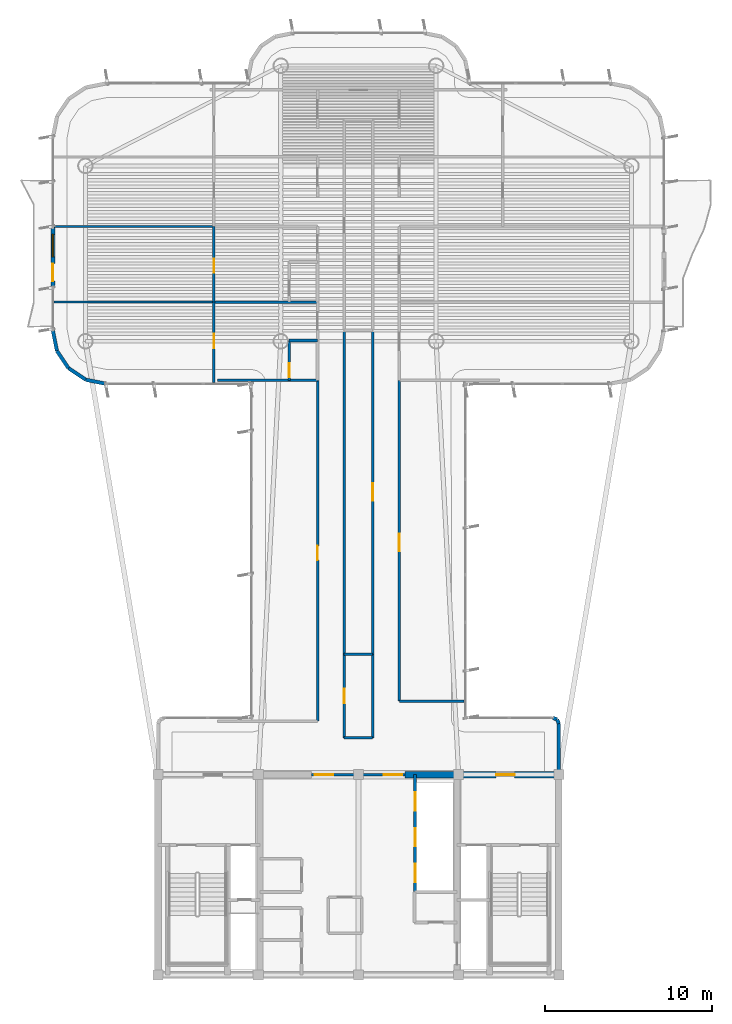
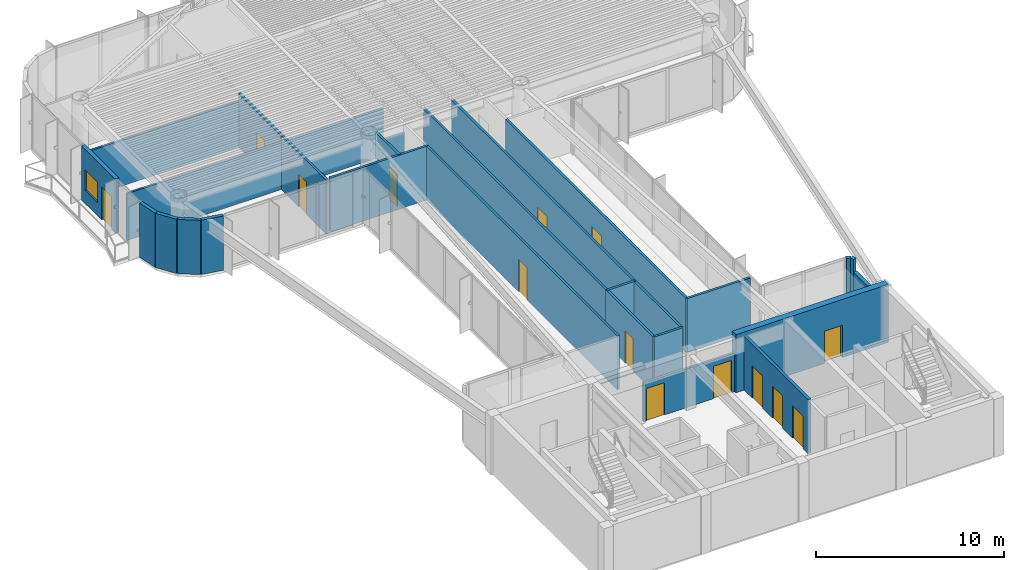
# One storey, part 11 of 15: 28 walls, 14 doors, 1 window, 15 openings.
"""IFC4 building model written with IfcOpenShell, lengths in metres."""

from ifc_helpers import new_model, si_unit, direction, frame, frame_2d, origin, origin_2d, place, context, subcontext, project, spatial, rectangle, extrude, source, transform, mapped, material, layer, layer_set, type_object, element, fill, save


model = new_model("IFC4")

# Units and contexts
model_context = context("Model", 3, precision=1e-05, world=origin(), true_north=direction((0.0, 1.0)))
body_context = subcontext(model_context, "Body", "Model", "MODEL_VIEW")
ifc_project = project(units=[si_unit("LENGTHUNIT", "METRE"), si_unit("AREAUNIT", "SQUARE_METRE"), si_unit("VOLUMEUNIT", "CUBIC_METRE"), si_unit("PLANEANGLEUNIT", "RADIAN"), si_unit("MASSUNIT", "GRAM", prefix="KILO")], contexts=[model_context])

# Site, building, storey
site_placement = place(None, origin())
site = spatial("IfcSite", under=ifc_project, at=site_placement, CompositionType="ELEMENT")
building_placement = place(site_placement, origin())
building = spatial("IfcBuilding", under=site, at=building_placement, Name="Brelvock Crest Care Tower", CompositionType="ELEMENT")
storey_placement = place(building_placement, frame((0.0, 0.0, 268.3798828125)))
storey = spatial("IfcBuildingStorey", under=building, at=storey_placement, Name="L68", CompositionType="ELEMENT", Elevation=268.3798828125)

# Wall, opening, door
ifc_material_1 = material(Name="Concrete S65 (65 MPa)", Category="concrete")
ifc_layer_1 = layer(ifc_material_1, 0.39990234375, Name="WL-CS4")
ifc_layer_set_1 = layer_set([ifc_layer_1], Name="Concrete S65 (65 MPa)")
wall_type_1 = type_object("IfcWallType", Name="WL-CS4", PredefinedType="SHEAR", material=ifc_layer_set_1)
wall_1_placement = place(storey_placement, frame((38.800048828125, 18.0, 0.0), z_axis=(0.0, 0.0, 1.0), x_axis=(1.0, 0.0, 0.0)))
wall_1 = element("IfcWall", 1, at=wall_1_placement, inside=storey, type_object=wall_type_1, Name="L68 Core North-East Shear Wall", PredefinedType="SHEAR", context=body_context, shape_type="SweptSolid", body=[
    extrude(rectangle(XDim=9.39990234375, YDim=0.39990234375, at=frame_2d((4.699951171875, 0.0))), origin(), (0.0, 0.0, 1.0), 3.780029296875),
])
opening_1_placement = place(wall_1_placement, frame((5.449951171875, 0.0, 0.0)))
opening_1 = element("IfcOpeningElement", 2, at=opening_1_placement, cuts=wall_1, Name="Opening FD-1", PredefinedType="OPENING", context=body_context, shape_type="SweptSolid", body=[
    extrude(rectangle(XDim=1.10009765625, YDim=2.10009765625, at=origin_2d()), frame((0.550048828125, 0.2099609375, 1.050048828125), z_axis=(0.0, -1.0, 0.0), x_axis=(1.0, 0.0, 0.0)), (0.0, 0.0, 1.0), 0.419921875),
])
ifc_material_2 = material(Name="Steel Grade 350", Category="steel")
door_type_1 = type_object("IfcDoorType", Name="DR-FFL1", OperationType="NOTDEFINED", PredefinedType="DOOR", material=ifc_material_2)
shared_shape_1 = source(origin(), body_context, "Body", "SweptSolid", [
    extrude(rectangle(XDim=1.10009765625, YDim=2.10009765625, at=origin_2d()), frame((0.550048828125, 0.02490234375, 1.050048828125), z_axis=(0.0, -1.0, 0.0), x_axis=(1.0, 0.0, 0.0)), (0.0, 0.0, 1.0), 0.050048828125),
])
door_1_placement = place(opening_1_placement, origin())
door_1 = element("IfcDoor", 3, at=door_1_placement, inside=storey, type_object=door_type_1, Name="L68 Firefighting Lobby FFL-2 Exit Door", OperationType="SINGLE_SWING_RIGHT", OverallHeight=2.10009765625, OverallWidth=1.10009765625, PredefinedType="DOOR", context=body_context, shape_type="MappedRepresentation", body=[
    mapped(shared_shape_1, transform((0.0, 0.0, 0.0), x_axis=(1.0, 0.0, 0.0), y_axis=(0.0, 1.0, 0.0), z_axis=(0.0, 0.0, 1.0), scale=1.0)),
])
fill(opening_1, door_1)

# Wall, openings, door, window
ifc_material_3 = material(Name="Precast concrete N40 (40 MPa)", Category="concrete")
ifc_layer_2 = layer(ifc_material_3, 0.239990234375, Name="WL-EX1")
ifc_layer_set_2 = layer_set([ifc_layer_2], Name="Precast concrete N40 (40 MPa)")
wall_type_2 = type_object("IfcWallType", Name="WL-EX1", PredefinedType="SOLIDWALL", material=ifc_layer_set_2)
wall_2_placement = place(storey_placement, frame((17.699951171875, 47.14990234375, 0.0), z_axis=(0.0, 0.0, 1.0), x_axis=(0.0, 1.0, 0.0)))
wall_2 = element("IfcWall", 4, at=wall_2_placement, inside=storey, type_object=wall_type_2, Name="L68 Exterior Spandrel Wall WL-BAL-L68-W", PredefinedType="SOLIDWALL", context=body_context, shape_type="SweptSolid", body=[
    extrude(rectangle(XDim=3.60009765625, YDim=0.239990234375, at=frame_2d((1.800048828125, 0.0))), origin(), (0.0, 0.0, 1.0), 3.530029296875),
])
opening_2_placement = place(wall_2_placement, frame((0.39990234375, 0.0, 0.0)))
opening_2 = element("IfcOpeningElement", 5, at=opening_2_placement, cuts=wall_2, Name="Opening BD-1", PredefinedType="OPENING", context=body_context, shape_type="SweptSolid", body=[
    extrude(rectangle(XDim=1.050048828125, YDim=2.14990234375, at=origin_2d()), frame((0.52490234375, 0.1298828125, 1.074951171875), z_axis=(0.0, -1.0, 0.0), x_axis=(1.0, 0.0, 0.0)), (0.0, 0.0, 1.0), 0.260009765625),
])
opening_3_placement = place(wall_2_placement, frame((1.85009765625, 0.0, 0.85009765625)))
opening_3 = element("IfcOpeningElement", 6, at=opening_3_placement, cuts=wall_2, Name="Opening W-01", PredefinedType="OPENING", context=body_context, shape_type="SweptSolid", body=[
    extrude(rectangle(XDim=1.35009765625, YDim=1.35009765625, at=origin_2d()), frame((0.675048828125, 0.1298828125, 0.675048828125), z_axis=(0.0, -1.0, 0.0), x_axis=(1.0, 0.0, 0.0)), (0.0, 0.0, 1.0), 0.260009765625),
])
ifc_material_4 = material(Name="Dark Glass Double Glazed Low-E", Category="glass")
door_type_2 = type_object("IfcDoorType", Name="DR-BAL1", OperationType="NOTDEFINED", PredefinedType="DOOR", material=ifc_material_4)
shared_shape_2 = source(origin(), body_context, "Body", "SweptSolid", [
    extrude(rectangle(XDim=1.050048828125, YDim=2.14990234375, at=origin_2d()), frame((0.52490234375, 0.02490234375, 1.074951171875), z_axis=(0.0, -1.0, 0.0), x_axis=(1.0, 0.0, 0.0)), (0.0, 0.0, 1.0), 0.050048828125),
])
door_2_placement = place(opening_2_placement, origin())
door_2 = element("IfcDoor", 7, at=door_2_placement, inside=storey, type_object=door_type_2, Name="L68 W Wave Balcony Glazed Door", OperationType="SINGLE_SWING_LEFT", OverallHeight=2.14990234375, OverallWidth=1.050048828125, PredefinedType="DOOR", context=body_context, shape_type="MappedRepresentation", body=[
    mapped(shared_shape_2, transform((0.0, 0.0, 0.0), x_axis=(1.0, 0.0, 0.0), y_axis=(0.0, 1.0, 0.0), z_axis=(0.0, 0.0, 1.0), scale=1.0)),
])
fill(opening_2, door_2)
window_type = type_object("IfcWindowType", Name="WN-EX1", PartitioningType="SINGLE_PANEL", PredefinedType="WINDOW", material=ifc_material_4)
shared_shape_3 = source(origin(), body_context, "Body", "SweptSolid", [
    extrude(rectangle(XDim=1.35009765625, YDim=1.35009765625, at=origin_2d()), frame((0.675048828125, 0.030029296875, 0.675048828125), z_axis=(0.0, -1.0, 0.0), x_axis=(1.0, 0.0, 0.0)), (0.0, 0.0, 1.0), 0.06005859375),
])
window_placement = place(opening_3_placement, origin())
window = element("IfcWindow", 8, at=window_placement, inside=storey, type_object=window_type, Name="L68 W Suite Casement Window", OverallHeight=1.35009765625, OverallWidth=1.35009765625, PartitioningType="SINGLE_PANEL", PredefinedType="WINDOW", context=body_context, shape_type="MappedRepresentation", body=[
    mapped(shared_shape_3, transform((0.0, 0.0, 0.0), x_axis=(1.0, 0.0, 0.0), y_axis=(0.0, 1.0, 0.0), z_axis=(0.0, 0.0, 1.0), scale=1.0)),
])
fill(opening_3, window)

# Walls
ifc_layer_3 = layer(ifc_material_3, 0.215087890625, Name="WL-EX2")
ifc_layer_set_3 = layer_set([ifc_layer_3], Name="Precast concrete N40 (40 MPa)")
wall_type_3 = type_object("IfcWallType", Name="WL-EX2", PredefinedType="SOLIDWALL", material=ifc_layer_set_3)
wall_3_placement = place(storey_placement, frame((47.8974609375, 21.297607421875, 0.0), z_axis=(0.0, 0.0, 1.0), x_axis=(0.382673670509, -0.923883575944, 0.0)))
element("IfcWall", 9, at=wall_3_placement, inside=storey, type_object=wall_type_3, Name="L68 Rounded Corner Wall 00", PredefinedType="SOLIDWALL", context=body_context, shape_type="SweptSolid", body=[
    extrude(rectangle(XDim=0.26806640625, YDim=0.215087890625, at=frame_2d((0.134033203125, 0.0))), origin(), (0.0, 0.0, 1.0), 3.530029296875),
])
wall_4_placement = place(storey_placement, frame((48.0, 21.050048828125, 0.0), z_axis=(0.0, 0.0, 1.0), x_axis=(0.0, -1.0, 0.0)))
element("IfcWall", 10, at=wall_4_placement, inside=storey, type_object=wall_type_3, Name="L68 Rounded Corner Wall 01", PredefinedType="SOLIDWALL", context=body_context, shape_type="SweptSolid", body=[
    extrude(rectangle(XDim=2.77001953125, YDim=0.215087890625, at=frame_2d((1.385009765625, 0.0))), origin(), (0.0, 0.0, 1.0), 2.718017578125),
])
for number, where, z_axis, x_axis, name in (
    (11, (20.89990234375, 41.39990234375, 0.0), (0.0, 0.0, 1.0), (-0.980775717779, 0.195138390419, 0.0), "L68 Rounded Corner Wall 13"),
    (12, (19.67529296875, 41.6435546875, 0.0), (0.0, 0.0, 1.0), (-0.831387912822, 0.555692485475, 0.0), "L68 Rounded Corner Wall 14"),
    (13, (18.63720703125, 42.33740234375, 0.0), (0.0, 0.0, 1.0), (-0.555557312883, 0.831478245117, 0.0), "L68 Rounded Corner Wall 15"),
    (14, (17.943603515625, 43.37548828125, 0.0), (0.0, 0.0, 1.0), (-0.195138390419, 0.980775717779, 0.0), "L68 Rounded Corner Wall 16"),
):
    element("IfcWall", number, at=place(storey_placement, frame(where, z_axis=z_axis, x_axis=x_axis)), inside=storey, type_object=wall_type_3, Name=name, PredefinedType="SOLIDWALL", context=body_context, shape_type="SweptSolid", body=[
        extrude(rectangle(XDim=1.24853515625, YDim=0.215087890625, at=frame_2d((0.624267578125, 0.0))), origin(), (0.0, 0.0, 1.0), 3.530029296875),
    ])
wall_5_placement = place(storey_placement, frame((47.64990234375, 21.39990234375, 0.0), z_axis=(0.0, 0.0, 1.0), x_axis=(0.924205486139, -0.381895560841, 0.0)))
element("IfcWall", 15, at=wall_5_placement, inside=storey, type_object=wall_type_3, Name="L68 Rounded Corner Wall 47", PredefinedType="SOLIDWALL", context=body_context, shape_type="SweptSolid", body=[
    extrude(rectangle(XDim=0.267822265625, YDim=0.215087890625, at=frame_2d((0.1337890625, 0.0))), origin(), (0.0, 0.0, 1.0), 3.530029296875),
])

# Wall, openings, doors
ifc_material_5 = material(Name="Masonry Blockwork Acoustic Partition", Category="masonry")
ifc_layer_4 = layer(ifc_material_5, 0.14990234375, Name="WL-INT1")
ifc_layer_set_4 = layer_set([ifc_layer_4], Name="Masonry Blockwork Acoustic Partition")
wall_type_4 = type_object("IfcWallType", Name="WL-INT1", PredefinedType="PARTITIONING", material=ifc_layer_set_4)
wall_6_placement = place(storey_placement, frame((33.199951171875, 18.0, 0.0), z_axis=(0.0, 0.0, 1.0), x_axis=(1.0, 0.0, 0.0)))
wall_6 = element("IfcWall", 16, at=wall_6_placement, inside=storey, type_object=wall_type_4, Name="L68 Interior Wall WL-CORE-NPORT-L68", PredefinedType="PARTITIONING", context=body_context, shape_type="SweptSolid", body=[
    extrude(rectangle(XDim=5.60009765625, YDim=0.14990234375, at=frame_2d((2.800048828125, 0.0))), origin(), (0.0, 0.0, 1.0), 2.51513671875),
])
opening_4_placement = place(wall_6_placement, frame((0.18994140625, 0.0, 0.0)))
opening_4 = element("IfcOpeningElement", 17, at=opening_4_placement, cuts=wall_6, Name="Opening FD-1", PredefinedType="OPENING", context=body_context, shape_type="SweptSolid", body=[
    extrude(rectangle(XDim=1.10009765625, YDim=2.10009765625, at=origin_2d()), frame((0.550048828125, 0.0849609375, 1.050048828125), z_axis=(0.0, -1.0, 0.0), x_axis=(1.0, 0.0, 0.0)), (0.0, 0.0, 1.0), 0.169921875),
])
opening_5_placement = place(wall_6_placement, frame((4.31005859375, 0.0, 0.0)))
opening_5 = element("IfcOpeningElement", 18, at=opening_5_placement, cuts=wall_6, Name="Opening FD-1", PredefinedType="OPENING", context=body_context, shape_type="SweptSolid", body=[
    extrude(rectangle(XDim=1.10009765625, YDim=2.10009765625, at=origin_2d()), frame((0.550048828125, 0.0849609375, 1.050048828125), z_axis=(0.0, -1.0, 0.0), x_axis=(1.0, 0.0, 0.0)), (0.0, 0.0, 1.0), 0.169921875),
])
door_3_placement = place(opening_4_placement, origin())
door_3 = element("IfcDoor", 19, at=door_3_placement, inside=storey, type_object=door_type_1, Name="L68 Lift Lobby North Smoke Door West", OperationType="SINGLE_SWING_LEFT", OverallHeight=2.10009765625, OverallWidth=1.10009765625, PredefinedType="DOOR", context=body_context, shape_type="MappedRepresentation", body=[
    mapped(shared_shape_1, transform((0.0, 0.0, 0.0), x_axis=(1.0, 0.0, 0.0), y_axis=(0.0, 1.0, 0.0), z_axis=(0.0, 0.0, 1.0), scale=1.0)),
])
fill(opening_4, door_3)
door_4_placement = place(opening_5_placement, origin())
door_4 = element("IfcDoor", 20, at=door_4_placement, inside=storey, type_object=door_type_1, Name="L68 Lift Lobby North Smoke Door East", OperationType="SINGLE_SWING_RIGHT", OverallHeight=2.10009765625, OverallWidth=1.10009765625, PredefinedType="DOOR", context=body_context, shape_type="MappedRepresentation", body=[
    mapped(shared_shape_1, transform((0.0, 0.0, 0.0), x_axis=(1.0, 0.0, 0.0), y_axis=(0.0, 1.0, 0.0), z_axis=(0.0, 0.0, 1.0), scale=1.0)),
])
fill(opening_5, door_4)

# Walls
wall_7_placement = place(storey_placement, frame((38.449951171875, 22.39990234375, 0.0), z_axis=(0.0, 0.0, 1.0), x_axis=(1.0, 0.0, 0.0)))
element("IfcWall", 21, at=wall_7_placement, inside=storey, type_object=wall_type_4, Name="L68 Interior Wall WL-BX-L68-THRE-S", PredefinedType="PARTITIONING", context=body_context, shape_type="SweptSolid", body=[
    extrude(rectangle(XDim=3.873291015625, YDim=0.14990234375, at=frame_2d((1.9365234375, 0.0))), origin(), (0.0, 0.0, 1.0), 3.5),
])
wall_8_placement = place(storey_placement, frame((27.557861328125, 41.60009765625, 0.0), z_axis=(0.0, 0.0, 1.0), x_axis=(1.0, 0.0, 0.0)))
element("IfcWall", 22, at=wall_8_placement, inside=storey, type_object=wall_type_4, Name="L68 Interior Wall WL-BX-L68-CS-WS1-S", PredefinedType="PARTITIONING", context=body_context, shape_type="SweptSolid", body=[
    extrude(rectangle(XDim=5.9921875, YDim=0.14990234375, at=frame_2d((2.99609375, 0.0))), origin(), (0.0, 0.0, 1.0), 3.5),
])
wall_9_placement = place(storey_placement, frame((27.35009765625, 46.298095703125, 0.0), z_axis=(0.0, 0.0, 1.0), x_axis=(1.0, 0.0, 0.0)))
element("IfcWall", 23, at=wall_9_placement, inside=storey, type_object=wall_type_4, Name="L68 Interior Wall WL-BX-L68-CS-WS1-N", PredefinedType="PARTITIONING", context=body_context, shape_type="SweptSolid", body=[
    extrude(rectangle(XDim=6.199951171875, YDim=0.14990234375, at=frame_2d((3.10009765625, 0.0))), origin(), (0.0, 0.0, 1.0), 3.05517578125),
])

# Wall, opening, door
wall_10_placement = place(storey_placement, frame((27.35009765625, 41.47998046875, 0.0), z_axis=(0.0, 0.0, 1.0), x_axis=(0.0, 1.0, 0.0)))
wall_10 = element("IfcWall", 24, at=wall_10_placement, inside=storey, type_object=wall_type_4, Name="L68 Interior Wall WL-RM-L68-WS1S", PredefinedType="PARTITIONING", context=body_context, shape_type="SweptSolid", body=[
    extrude(rectangle(XDim=4.818115234375, YDim=0.14990234375, at=frame_2d((2.4091796875, 0.0))), origin(), (0.0, 0.0, 1.0), 3.5),
])
opening_6_placement = place(wall_10_placement, frame((2.06005859375, 0.0, 0.0)))
opening_6 = element("IfcOpeningElement", 25, at=opening_6_placement, cuts=wall_10, Name="Opening ID-1", PredefinedType="OPENING", context=body_context, shape_type="SweptSolid", body=[
    extrude(rectangle(XDim=0.860107421875, YDim=2.10009765625, at=origin_2d()), frame((0.43017578125, 0.0849609375, 1.050048828125), z_axis=(0.0, -1.0, 0.0), x_axis=(1.0, 0.0, 0.0)), (0.0, 0.0, 1.0), 0.169921875),
])
ifc_material_6 = material(Name="Engineered Hardwood Timber", Category="wood")
door_type_3 = type_object("IfcDoorType", Name="DR-INT1", OperationType="NOTDEFINED", PredefinedType="DOOR", material=ifc_material_6)
shared_shape_4 = source(origin(), body_context, "Body", "SweptSolid", [
    extrude(rectangle(XDim=0.860107421875, YDim=2.10009765625, at=origin_2d()), frame((0.43017578125, 0.02490234375, 1.050048828125), z_axis=(0.0, -1.0, 0.0), x_axis=(1.0, 0.0, 0.0)), (0.0, 0.0, 1.0), 0.050048828125),
])
door_5_placement = place(opening_6_placement, origin())
door_5 = element("IfcDoor", 26, at=door_5_placement, inside=storey, type_object=door_type_3, Name="L68 Skilled Nursing Mobility Store Door WS1S", OperationType="SINGLE_SWING_LEFT", OverallHeight=2.10009765625, OverallWidth=0.860107421875, PredefinedType="DOOR", context=body_context, shape_type="MappedRepresentation", body=[
    mapped(shared_shape_4, transform((0.0, 0.0, 0.0), x_axis=(1.0, 0.0, 0.0), y_axis=(0.0, 1.0, 0.0), z_axis=(0.0, 0.0, 1.0), scale=1.0)),
])
fill(opening_6, door_5)

wall_11_placement = place(storey_placement, frame((27.35009765625, 46.298095703125, 0.0), z_axis=(0.0, 0.0, 1.0), x_axis=(0.0, 1.0, 0.0)))
wall_11 = element("IfcWall", 27, at=wall_11_placement, inside=storey, type_object=wall_type_4, Name="L68 Interior Wall WL-RM-L68-WS2S", PredefinedType="PARTITIONING", context=body_context, shape_type="SweptSolid", body=[
    extrude(rectangle(XDim=4.52392578125, YDim=0.14990234375, at=frame_2d((2.261962890625, 0.0))), origin(), (0.0, 0.0, 1.0), 3.5),
])
opening_7_placement = place(wall_11_placement, frame((1.741943359375, 0.0, 0.0)))
opening_7 = element("IfcOpeningElement", 28, at=opening_7_placement, cuts=wall_11, Name="Opening ID-1", PredefinedType="OPENING", context=body_context, shape_type="SweptSolid", body=[
    extrude(rectangle(XDim=0.860107421875, YDim=2.10009765625, at=origin_2d()), frame((0.43017578125, 0.0849609375, 1.050048828125), z_axis=(0.0, -1.0, 0.0), x_axis=(1.0, 0.0, 0.0)), (0.0, 0.0, 1.0), 0.169921875),
])
door_6_placement = place(opening_7_placement, origin())
door_6 = element("IfcDoor", 29, at=door_6_placement, inside=storey, type_object=door_type_3, Name="L68 Skilled Nursing Mobility Store Door WS2S", OperationType="SINGLE_SWING_LEFT", OverallHeight=2.10009765625, OverallWidth=0.860107421875, PredefinedType="DOOR", context=body_context, shape_type="MappedRepresentation", body=[
    mapped(shared_shape_4, transform((0.0, 0.0, 0.0), x_axis=(1.0, 0.0, 0.0), y_axis=(0.0, 1.0, 0.0), z_axis=(0.0, 0.0, 1.0), scale=1.0)),
])
fill(opening_7, door_6)

wall_12_placement = place(storey_placement, frame((33.550048828125, 21.199951171875, 0.0), z_axis=(0.0, 0.0, 1.0), x_axis=(0.0, 1.0, 0.0)))
wall_12 = element("IfcWall", 30, at=wall_12_placement, inside=storey, type_object=wall_type_4, Name="L68 Interior Wall WL-RM-L68-THRW", PredefinedType="PARTITIONING", context=body_context, shape_type="SweptSolid", body=[
    extrude(rectangle(XDim=20.400146484375, YDim=0.14990234375, at=frame_2d((10.2001953125, 0.0))), origin(), (0.0, 0.0, 1.0), 3.5),
])
opening_8_placement = place(wall_12_placement, frame((9.639892578125, 0.0, 0.0)))
opening_8 = element("IfcOpeningElement", 31, at=opening_8_placement, cuts=wall_12, Name="Opening ID-1", PredefinedType="OPENING", context=body_context, shape_type="SweptSolid", body=[
    extrude(rectangle(XDim=0.860107421875, YDim=2.10009765625, at=origin_2d()), frame((0.43017578125, 0.0849609375, 1.050048828125), z_axis=(0.0, -1.0, 0.0), x_axis=(1.0, 0.0, 0.0)), (0.0, 0.0, 1.0), 0.169921875),
])
door_7_placement = place(opening_8_placement, origin())
door_7 = element("IfcDoor", 32, at=door_7_placement, inside=storey, type_object=door_type_3, Name="L68 Quiet Family Consultation Room Door THRW", OperationType="SINGLE_SWING_LEFT", OverallHeight=2.10009765625, OverallWidth=0.860107421875, PredefinedType="DOOR", context=body_context, shape_type="MappedRepresentation", body=[
    mapped(shared_shape_4, transform((0.0, 0.0, 0.0), x_axis=(1.0, 0.0, 0.0), y_axis=(0.0, 1.0, 0.0), z_axis=(0.0, 0.0, 1.0), scale=1.0)),
])
fill(opening_8, door_7)

# Wall
wall_13_placement = place(storey_placement, frame((35.14990234375, 25.199951171875, 0.0), z_axis=(0.0, 0.0, 1.0), x_axis=(0.0, 1.0, 0.0)))
element("IfcWall", 33, at=wall_13_placement, inside=storey, type_object=wall_type_4, Name="L68 Interior Wall WL-BX-L68-ISNS-W", PredefinedType="PARTITIONING", context=body_context, shape_type="SweptSolid", body=[
    extrude(rectangle(XDim=19.420166015625, YDim=0.14990234375, at=frame_2d((9.7099609375, 0.0))), origin(), (0.0, 0.0, 1.0), 3.5),
])

# Wall, opening, door
wall_14_placement = place(storey_placement, frame((36.85009765625, 25.199951171875, 0.0), z_axis=(0.0, 0.0, 1.0), x_axis=(0.0, 1.0, 0.0)))
wall_14 = element("IfcWall", 34, at=wall_14_placement, inside=storey, type_object=wall_type_4, Name="L68 Interior Wall WL-RM-L68-ISNS", PredefinedType="PARTITIONING", context=body_context, shape_type="SweptSolid", body=[
    extrude(rectangle(XDim=19.420166015625, YDim=0.14990234375, at=frame_2d((9.7099609375, 0.0))), origin(), (0.0, 0.0, 1.0), 3.5),
])
opening_9_placement = place(wall_14_placement, frame((9.18505859375, 0.0, 0.0)))
opening_9 = element("IfcOpeningElement", 35, at=opening_9_placement, cuts=wall_14, Name="Opening CLD-1", PredefinedType="OPENING", context=body_context, shape_type="SweptSolid", body=[
    extrude(rectangle(XDim=1.050048828125, YDim=2.10009765625, at=origin_2d()), frame((0.52490234375, 0.0849609375, 1.050048828125), z_axis=(0.0, -1.0, 0.0), x_axis=(1.0, 0.0, 0.0)), (0.0, 0.0, 1.0), 0.169921875),
])
door_type_4 = type_object("IfcDoorType", Name="DR-CLN1", OperationType="NOTDEFINED", PredefinedType="DOOR", material=ifc_material_6)
shared_shape_5 = source(origin(), body_context, "Body", "SweptSolid", [
    extrude(rectangle(XDim=1.050048828125, YDim=2.10009765625, at=origin_2d()), frame((0.52490234375, 0.02490234375, 1.050048828125), z_axis=(0.0, -1.0, 0.0), x_axis=(1.0, 0.0, 0.0)), (0.0, 0.0, 1.0), 0.050048828125),
])
door_8_placement = place(opening_9_placement, origin())
door_8 = element("IfcDoor", 36, at=door_8_placement, inside=storey, type_object=door_type_4, Name="L68 Care Concierge and Triage Station Door ISNS", OperationType="SINGLE_SWING_LEFT", OverallHeight=2.10009765625, OverallWidth=1.050048828125, PredefinedType="DOOR", context=body_context, shape_type="MappedRepresentation", body=[
    mapped(shared_shape_5, transform((0.0, 0.0, 0.0), x_axis=(1.0, 0.0, 0.0), y_axis=(0.0, 1.0, 0.0), z_axis=(0.0, 0.0, 1.0), scale=1.0)),
])
fill(opening_9, door_8)

wall_15_placement = place(storey_placement, frame((38.449951171875, 22.39990234375, 0.0), z_axis=(0.0, 0.0, 1.0), x_axis=(0.0, 1.0, 0.0)))
wall_15 = element("IfcWall", 37, at=wall_15_placement, inside=storey, type_object=wall_type_4, Name="L68 Interior Wall WL-RM-L68-THRE", PredefinedType="PARTITIONING", context=body_context, shape_type="SweptSolid", body=[
    extrude(rectangle(XDim=19.2001953125, YDim=0.14990234375, at=frame_2d((9.60009765625, 0.0))), origin(), (0.0, 0.0, 1.0), 3.5),
])
opening_10_placement = place(wall_15_placement, frame((8.97509765625, 0.0, 0.0)))
opening_10 = element("IfcOpeningElement", 38, at=opening_10_placement, cuts=wall_15, Name="Opening CLD-1", PredefinedType="OPENING", context=body_context, shape_type="SweptSolid", body=[
    extrude(rectangle(XDim=1.050048828125, YDim=2.10009765625, at=origin_2d()), frame((0.52490234375, 0.0849609375, 1.050048828125), z_axis=(0.0, -1.0, 0.0), x_axis=(1.0, 0.0, 0.0)), (0.0, 0.0, 1.0), 0.169921875),
])
door_9_placement = place(opening_10_placement, origin())
door_9 = element("IfcDoor", 39, at=door_9_placement, inside=storey, type_object=door_type_4, Name="L68 Allied Health Therapy Room Door THRE", OperationType="SINGLE_SWING_LEFT", OverallHeight=2.10009765625, OverallWidth=1.050048828125, PredefinedType="DOOR", context=body_context, shape_type="MappedRepresentation", body=[
    mapped(shared_shape_5, transform((0.0, 0.0, 0.0), x_axis=(1.0, 0.0, 0.0), y_axis=(0.0, 1.0, 0.0), z_axis=(0.0, 0.0, 1.0), scale=1.0)),
])
fill(opening_10, door_9)

# Walls
ifc_material_7 = material(Name="Gypsum Plasterboard Partition", Category="gypsum")
ifc_layer_5 = layer(ifc_material_7, 0.1201171875, Name="WL-INT2")
ifc_layer_set_5 = layer_set([ifc_layer_5], Name="Gypsum Plasterboard Partition")
wall_type_5 = type_object("IfcWallType", Name="WL-INT2", PredefinedType="PARTITIONING", material=ifc_layer_set_5)
wall_16_placement = place(storey_placement, frame((17.780029296875, 46.298095703125, 0.0), z_axis=(0.0, 0.0, 1.0), x_axis=(1.0, 0.0, 0.0)))
element("IfcWall", 40, at=wall_16_placement, inside=storey, type_object=wall_type_5, Name="L68 Interior Wall WL-BX-L68-WS1S-N", PredefinedType="PARTITIONING", context=body_context, shape_type="SweptSolid", body=[
    extrude(rectangle(XDim=9.570068359375, YDim=0.1201171875, at=frame_2d((4.78515625, 0.0))), origin(), (0.0, 0.0, 1.0), 3.05517578125),
])
wall_17_placement = place(storey_placement, frame((17.780029296875, 50.822021484375, 0.0), z_axis=(0.0, 0.0, 1.0), x_axis=(1.0, 0.0, 0.0)))
element("IfcWall", 41, at=wall_17_placement, inside=storey, type_object=wall_type_5, Name="L68 Interior Wall WL-BX-L68-WS2S-N", PredefinedType="PARTITIONING", context=body_context, shape_type="SweptSolid", body=[
    extrude(rectangle(XDim=9.570068359375, YDim=0.1201171875, at=frame_2d((4.78515625, 0.0))), origin(), (0.0, 0.0, 1.0), 2.982177734375),
])
ifc_layer_6 = layer(ifc_material_7, 0.159912109375, Name="WL-PLM1")
ifc_layer_set_6 = layer_set([ifc_layer_6], Name="Gypsum Plasterboard Partition")
wall_type_6 = type_object("IfcWallType", Name="WL-PLM1", PredefinedType="PLUMBINGWALL", material=ifc_layer_set_6)
for number, where, z_axis, x_axis, name in (
    (42, (35.14990234375, 20.199951171875, 0.0), (0.0, 0.0, 1.0), (1.0, 0.0, 0.0), "L68 Interior Wall WL-BX-L68-ISWC-S"),
    (43, (35.14990234375, 25.199951171875, 0.0), (0.0, 0.0, 1.0), (1.0, 0.0, 0.0), "L68 Interior Wall WL-BX-L68-ISNS-S"),
):
    element("IfcWall", number, at=place(storey_placement, frame(where, z_axis=z_axis, x_axis=x_axis)), inside=storey, type_object=wall_type_6, Name=name, PredefinedType="PLUMBINGWALL", context=body_context, shape_type="SweptSolid", body=[
        extrude(rectangle(XDim=1.7001953125, YDim=0.159912109375, at=frame_2d((0.85009765625, 0.0))), origin(), (0.0, 0.0, 1.0), 3.5),
    ])
wall_18_placement = place(storey_placement, frame((31.85009765625, 44.0, 0.0), z_axis=(0.0, 0.0, 1.0), x_axis=(1.0, 0.0, 0.0)))
element("IfcWall", 44, at=wall_18_placement, inside=storey, type_object=wall_type_6, Name="L68 Interior Wall WL-CENS2-L68-WS1", PredefinedType="PLUMBINGWALL", context=body_context, shape_type="SweptSolid", body=[
    extrude(rectangle(XDim=1.699951171875, YDim=0.159912109375, at=frame_2d((0.85009765625, 0.0))), origin(), (0.0, 0.0, 1.0), 2.903076171875),
])

# Wall, opening, door
wall_19_placement = place(storey_placement, frame((31.85009765625, 41.60009765625, 0.0), z_axis=(0.0, 0.0, 1.0), x_axis=(0.0, 1.0, 0.0)))
wall_19 = element("IfcWall", 45, at=wall_19_placement, inside=storey, type_object=wall_type_6, Name="L68 Interior Wall WL-CENS1-L68-WS1", PredefinedType="PLUMBINGWALL", context=body_context, shape_type="SweptSolid", body=[
    extrude(rectangle(XDim=2.39990234375, YDim=0.159912109375, at=frame_2d((1.199951171875, 0.0))), origin(), (0.0, 0.0, 1.0), 3.5),
])
opening_11_placement = place(wall_19_placement, frame((0.179931640625, 0.0, 0.0)))
opening_11 = element("IfcOpeningElement", 46, at=opening_11_placement, cuts=wall_19, Name="Opening WD-1", PredefinedType="OPENING", context=body_context, shape_type="SweptSolid", body=[
    extrude(rectangle(XDim=0.860107421875, YDim=2.10009765625, at=origin_2d()), frame((0.43017578125, 0.08984375, 1.050048828125), z_axis=(0.0, -1.0, 0.0), x_axis=(1.0, 0.0, 0.0)), (0.0, 0.0, 1.0), 0.179931640625),
])
door_type_5 = type_object("IfcDoorType", Name="DR-WC1", OperationType="NOTDEFINED", PredefinedType="DOOR", material=ifc_material_6)
shared_shape_6 = source(origin(), body_context, "Body", "SweptSolid", [
    extrude(rectangle(XDim=0.860107421875, YDim=2.10009765625, at=origin_2d()), frame((0.43017578125, 0.02490234375, 1.050048828125), z_axis=(0.0, -1.0, 0.0), x_axis=(1.0, 0.0, 0.0)), (0.0, 0.0, 1.0), 0.050048828125),
])
door_10_placement = place(opening_11_placement, origin())
door_10 = element("IfcDoor", 47, at=door_10_placement, inside=storey, type_object=door_type_5, Name="L68 Care En-Suite Door WS1", OperationType="SINGLE_SWING_LEFT", OverallHeight=2.10009765625, OverallWidth=0.860107421875, PredefinedType="DOOR", context=body_context, shape_type="MappedRepresentation", body=[
    mapped(shared_shape_6, transform((0.0, 0.0, 0.0), x_axis=(1.0, 0.0, 0.0), y_axis=(0.0, 1.0, 0.0), z_axis=(0.0, 0.0, 1.0), scale=1.0)),
])
fill(opening_11, door_10)

wall_20_placement = place(storey_placement, frame((35.14990234375, 20.199951171875, 0.0), z_axis=(0.0, 0.0, 1.0), x_axis=(0.0, 1.0, 0.0)))
wall_20 = element("IfcWall", 48, at=wall_20_placement, inside=storey, type_object=wall_type_6, Name="L68 Interior Wall WL-RM-L68-ISWC", PredefinedType="PLUMBINGWALL", context=body_context, shape_type="SweptSolid", body=[
    extrude(rectangle(XDim=5.0, YDim=0.159912109375, at=frame_2d((2.5, 0.0))), origin(), (0.0, 0.0, 1.0), 3.5),
])
opening_12_placement = place(wall_20_placement, frame((2.070068359375, 0.0, 0.0)))
opening_12 = element("IfcOpeningElement", 49, at=opening_12_placement, cuts=wall_20, Name="Opening WD-1", PredefinedType="OPENING", context=body_context, shape_type="SweptSolid", body=[
    extrude(rectangle(XDim=0.860107421875, YDim=2.10009765625, at=origin_2d()), frame((0.43017578125, 0.08984375, 1.050048828125), z_axis=(0.0, -1.0, 0.0), x_axis=(1.0, 0.0, 0.0)), (0.0, 0.0, 1.0), 0.179931640625),
])
door_11_placement = place(opening_12_placement, origin())
door_11 = element("IfcDoor", 50, at=door_11_placement, inside=storey, type_object=door_type_5, Name="L68 High-Zone Accessible WC Door ISWC", OperationType="SINGLE_SWING_LEFT", OverallHeight=2.10009765625, OverallWidth=0.860107421875, PredefinedType="DOOR", context=body_context, shape_type="MappedRepresentation", body=[
    mapped(shared_shape_6, transform((0.0, 0.0, 0.0), x_axis=(1.0, 0.0, 0.0), y_axis=(0.0, 1.0, 0.0), z_axis=(0.0, 0.0, 1.0), scale=1.0)),
])
fill(opening_12, door_11)

# Wall
wall_21_placement = place(storey_placement, frame((36.85009765625, 20.199951171875, 0.0), z_axis=(0.0, 0.0, 1.0), x_axis=(0.0, 1.0, 0.0)))
element("IfcWall", 51, at=wall_21_placement, inside=storey, type_object=wall_type_6, Name="L68 Interior Wall WL-BX-L68-ISWC-E", PredefinedType="PLUMBINGWALL", context=body_context, shape_type="SweptSolid", body=[
    extrude(rectangle(XDim=5.0, YDim=0.159912109375, at=frame_2d((2.5, 0.0))), origin(), (0.0, 0.0, 1.0), 3.5),
])

# Wall, openings, doors
ifc_layer_7 = layer(ifc_material_5, 0.179931640625, Name="WL-SHF1")
ifc_layer_set_7 = layer_set([ifc_layer_7], Name="Masonry Blockwork Acoustic Partition")
wall_type_7 = type_object("IfcWallType", Name="WL-SHF1", PredefinedType="PARTITIONING", material=ifc_layer_set_7)
wall_22_placement = place(storey_placement, frame((39.39990234375, 11.0, 0.0), z_axis=(0.0, 0.0, 1.0), x_axis=(0.0, 1.0, 0.0)))
wall_22 = element("IfcWall", 52, at=wall_22_placement, inside=storey, type_object=wall_type_7, Name="L68 Interior Wall WL-PLH-BANK-L68", PredefinedType="PARTITIONING", context=body_context, shape_type="SweptSolid", body=[
    extrude(rectangle(XDim=7.0, YDim=0.179931640625, at=frame_2d((3.5, 0.0))), origin(), (0.0, 0.0, 1.0), 3.5),
])
opening_13_placement = place(wall_22_placement, frame((0.550048828125, 0.0, 0.0)))
opening_13 = element("IfcOpeningElement", 53, at=opening_13_placement, cuts=wall_22, Name="Opening LD", PredefinedType="OPENING", context=body_context, shape_type="SweptSolid", body=[
    extrude(rectangle(XDim=1.10009765625, YDim=2.10009765625, at=origin_2d()), frame((0.550048828125, 0.10009765625, 1.050048828125), z_axis=(0.0, -1.0, 0.0), x_axis=(1.0, 0.0, 0.0)), (0.0, 0.0, 1.0), 0.199951171875),
])
opening_14_placement = place(wall_22_placement, frame((2.699951171875, 0.0, 0.0)))
opening_14 = element("IfcOpeningElement", 54, at=opening_14_placement, cuts=wall_22, Name="Opening LD", PredefinedType="OPENING", context=body_context, shape_type="SweptSolid", body=[
    extrude(rectangle(XDim=1.10009765625, YDim=2.10009765625, at=origin_2d()), frame((0.550048828125, 0.10009765625, 1.050048828125), z_axis=(0.0, -1.0, 0.0), x_axis=(1.0, 0.0, 0.0)), (0.0, 0.0, 1.0), 0.199951171875),
])
opening_15_placement = place(wall_22_placement, frame((4.85009765625, 0.0, 0.0)))
opening_15 = element("IfcOpeningElement", 55, at=opening_15_placement, cuts=wall_22, Name="Opening LD", PredefinedType="OPENING", context=body_context, shape_type="SweptSolid", body=[
    extrude(rectangle(XDim=1.10009765625, YDim=2.10009765625, at=origin_2d()), frame((0.550048828125, 0.10009765625, 1.050048828125), z_axis=(0.0, -1.0, 0.0), x_axis=(1.0, 0.0, 0.0)), (0.0, 0.0, 1.0), 0.199951171875),
])
door_type_6 = type_object("IfcDoorType", Name="DR-LD1", OperationType="NOTDEFINED", PredefinedType="DOOR", material=ifc_material_2)
shared_shape_7 = source(origin(), body_context, "Body", "SweptSolid", [
    extrude(rectangle(XDim=1.10009765625, YDim=2.10009765625, at=origin_2d()), frame((0.550048828125, 0.02490234375, 1.050048828125), z_axis=(0.0, -1.0, 0.0), x_axis=(1.0, 0.0, 0.0)), (0.0, 0.0, 1.0), 0.050048828125),
])
door_12_placement = place(opening_13_placement, origin())
door_12 = element("IfcDoor", 56, at=door_12_placement, inside=storey, type_object=door_type_6, Name="L68 Lift PL-H1 Landing Door", OperationType="SLIDING_TO_RIGHT", OverallHeight=2.10009765625, OverallWidth=1.10009765625, PredefinedType="DOOR", context=body_context, shape_type="MappedRepresentation", body=[
    mapped(shared_shape_7, transform((0.0, 0.0, 0.0), x_axis=(1.0, 0.0, 0.0), y_axis=(0.0, 1.0, 0.0), z_axis=(0.0, 0.0, 1.0), scale=1.0)),
])
fill(opening_13, door_12)
door_13_placement = place(opening_14_placement, origin())
door_13 = element("IfcDoor", 57, at=door_13_placement, inside=storey, type_object=door_type_6, Name="L68 Lift PL-H2 Landing Door", OperationType="SLIDING_TO_RIGHT", OverallHeight=2.10009765625, OverallWidth=1.10009765625, PredefinedType="DOOR", context=body_context, shape_type="MappedRepresentation", body=[
    mapped(shared_shape_7, transform((0.0, 0.0, 0.0), x_axis=(1.0, 0.0, 0.0), y_axis=(0.0, 1.0, 0.0), z_axis=(0.0, 0.0, 1.0), scale=1.0)),
])
fill(opening_14, door_13)
door_14_placement = place(opening_15_placement, origin())
door_14 = element("IfcDoor", 58, at=door_14_placement, inside=storey, type_object=door_type_6, Name="L68 Lift PL-H3 Landing Door", OperationType="SLIDING_TO_RIGHT", OverallHeight=2.10009765625, OverallWidth=1.10009765625, PredefinedType="DOOR", context=body_context, shape_type="MappedRepresentation", body=[
    mapped(shared_shape_7, transform((0.0, 0.0, 0.0), x_axis=(1.0, 0.0, 0.0), y_axis=(0.0, 1.0, 0.0), z_axis=(0.0, 0.0, 1.0), scale=1.0)),
])
fill(opening_15, door_14)

save(model, "model.ifc")
